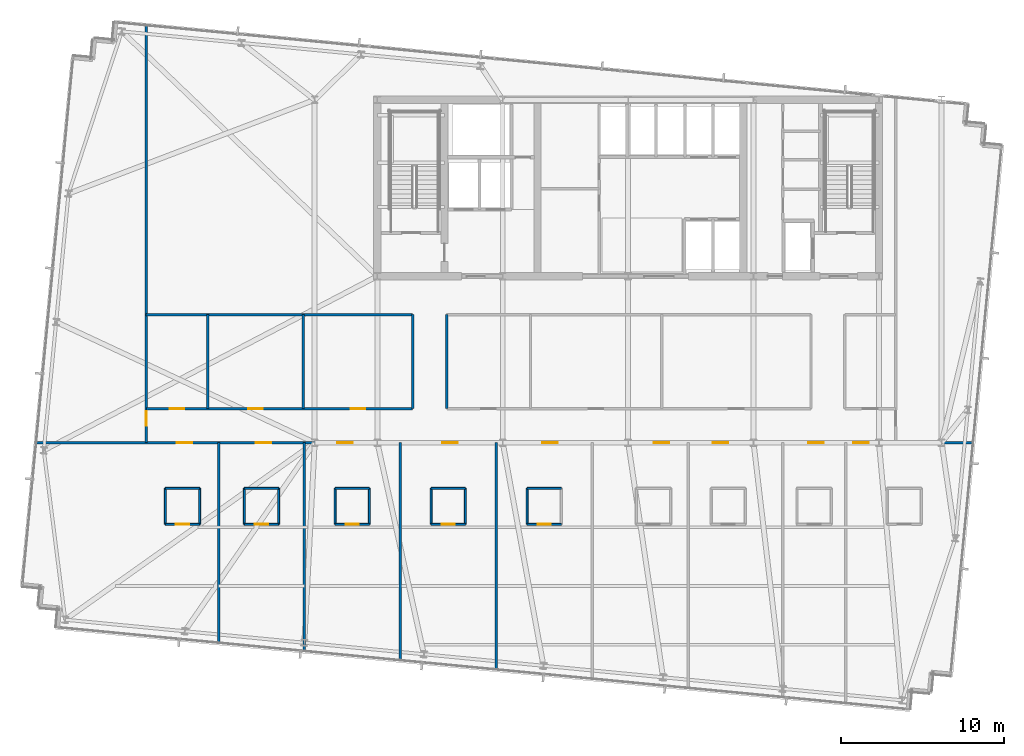
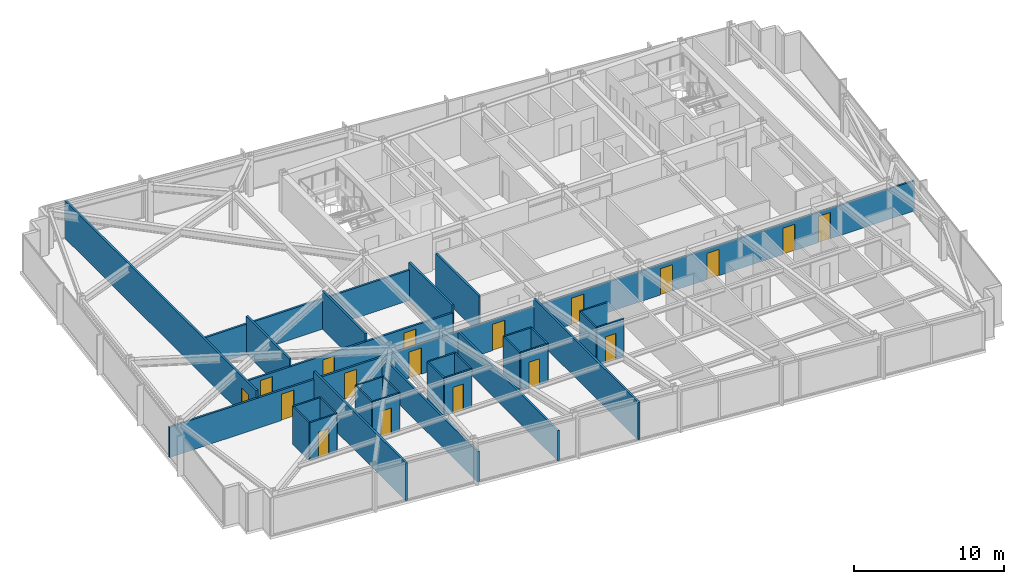
# One storey, part 29 of 38: 31 walls, 18 doors, 18 openings.
"""IFC4 building model written with IfcOpenShell, lengths in metres."""

from ifc_helpers import new_model, si_unit, direction, frame, frame_2d, origin, place, context, subcontext, project, spatial, rectangle, extrude, material, layer, layer_set, type_object, element, fill, save


model = new_model("IFC4")

# Units and contexts
model_context = context("Model", 3, precision=1e-05, world=origin(), true_north=direction((0.0, 1.0)))
body_context = subcontext(model_context, "Body", "Model", "MODEL_VIEW")
ifc_project = project(units=[si_unit("LENGTHUNIT", "METRE"), si_unit("AREAUNIT", "SQUARE_METRE"), si_unit("VOLUMEUNIT", "CUBIC_METRE"), si_unit("PLANEANGLEUNIT", "RADIAN"), si_unit("MASSUNIT", "GRAM", prefix="KILO")], contexts=[model_context])

# Site, building, storey
site_placement = place(None, origin())
site = spatial("IfcSite", under=ifc_project, at=site_placement, CompositionType="ELEMENT")
building_placement = place(site_placement, origin())
building = spatial("IfcBuilding", under=site, at=building_placement, Name="Yelkora Congress Tower", CompositionType="ELEMENT")
storey_placement = place(building_placement, frame((0.0, 0.0, 155.60009765625)))
storey = spatial("IfcBuildingStorey", under=building, at=storey_placement, Name="L42", CompositionType="ELEMENT", Elevation=155.60009765625)

# Walls
ifc_material_1 = material(Name="Moisture-resistant gypsum partition", Category="gypsum")
ifc_layer_1 = layer(ifc_material_1, 0.1201171875)
ifc_layer_set_1 = layer_set([ifc_layer_1], Name="Moisture-resistant gypsum partition")
wall_type_1 = type_object("IfcWallType", Name="WALL-INT-120-NR", PredefinedType="PARTITIONING", material=ifc_layer_set_1)
wall_1_placement = place(storey_placement, frame((10.052001953125, 22.39990234375, 0.0), z_axis=(0.0, 0.0, 1.0), x_axis=(1.0, 0.0, 0.0)))
element("IfcWall", 1, at=wall_1_placement, inside=storey, type_object=wall_type_1, Name="L42 Partition Wall 28", PredefinedType="PARTITIONING", context=body_context, shape_type="SweptSolid", body=[
    extrude(rectangle(XDim=2.10009765625, YDim=0.1201171875, at=frame_2d((1.050048828125, 0.0))), origin(), (0.0, 0.0, 1.0), 3.079833984375),
])
for number, where, z_axis, x_axis, name in (
    (2, (10.052001953125, 20.199951171875, 0.0), (0.0, 0.0, 1.0), (0.0, 1.0, 0.0), "L42 Partition Wall 29"),
    (3, (12.152099609375, 20.199951171875, 0.0), (0.0, 0.0, 1.0), (0.0, 1.0, 0.0), "L42 Partition Wall 30"),
):
    element("IfcWall", number, at=place(storey_placement, frame(where, z_axis=z_axis, x_axis=x_axis)), inside=storey, type_object=wall_type_1, Name=name, PredefinedType="PARTITIONING", context=body_context, shape_type="SweptSolid", body=[
        extrude(rectangle(XDim=2.199951171875, YDim=0.1201171875, at=frame_2d((1.10009765625, 0.0))), origin(), (0.0, 0.0, 1.0), 3.079833984375),
    ])

# Wall, opening, door
wall_2_placement = place(storey_placement, frame((10.052001953125, 20.199951171875, 0.0), z_axis=(0.0, 0.0, 1.0), x_axis=(1.0, 0.0, 0.0)))
wall_2 = element("IfcWall", 4, at=wall_2_placement, inside=storey, type_object=wall_type_1, Name="L42 Partition Wall 31", PredefinedType="PARTITIONING", context=body_context, shape_type="SweptSolid", body=[
    extrude(rectangle(XDim=2.10009765625, YDim=0.1201171875, at=frame_2d((1.050048828125, 0.0))), origin(), (0.0, 0.0, 1.0), 3.079833984375),
])
opening_1_placement = place(wall_2_placement, frame((0.64990234375, 0.0, 0.0)))
opening_1 = element("IfcOpeningElement", 5, at=opening_1_placement, cuts=wall_2, Name="Opening DR-080B", PredefinedType="OPENING", context=body_context, shape_type="SweptSolid", body=[
    extrude(rectangle(XDim=0.800048828125, YDim=2.10009765625, at=frame_2d((0.39990234375, 1.050048828125))), frame((0.0, 0.070068359375, 0.0), z_axis=(0.0, -1.0, 0.0), x_axis=(1.0, 0.0, 0.0)), (0.0, 0.0, 1.0), 0.14013671875),
])
ifc_material_2 = material(Name="Moisture-sealed en-suite timber door", Category="wood")
door_type_1 = type_object("IfcDoorType", Name="DOOR-BATH-800", OperationType="NOTDEFINED", PredefinedType="DOOR", material=ifc_material_2)
door_1_placement = place(opening_1_placement, origin())
door_1 = element("IfcDoor", 6, at=door_1_placement, inside=storey, type_object=door_type_1, Name="L42 En-suite Door 1", OperationType="SINGLE_SWING_RIGHT", OverallHeight=2.10009765625, OverallWidth=0.800048828125, PredefinedType="DOOR", context=body_context, shape_type="SweptSolid", body=[
    extrude(rectangle(XDim=0.800048828125, YDim=2.10009765625, at=frame_2d((0.39990234375, 1.050048828125))), frame((0.0, 0.02490234375, 0.0), z_axis=(0.0, -1.0, 0.0), x_axis=(1.0, 0.0, 0.0)), (0.0, 0.0, 1.0), 0.050048828125),
])
fill(opening_1, door_1)

# Walls
wall_3_placement = place(storey_placement, frame((14.89404296875, 22.39990234375, 0.0), z_axis=(0.0, 0.0, 1.0), x_axis=(1.0, 0.0, 0.0)))
element("IfcWall", 7, at=wall_3_placement, inside=storey, type_object=wall_type_1, Name="L42 Partition Wall 32", PredefinedType="PARTITIONING", context=body_context, shape_type="SweptSolid", body=[
    extrude(rectangle(XDim=2.099853515625, YDim=0.1201171875, at=frame_2d((1.0498046875, 0.0))), origin(), (0.0, 0.0, 1.0), 3.079833984375),
])
for number, where, z_axis, x_axis, name in (
    (8, (14.89404296875, 20.199951171875, 0.0), (0.0, 0.0, 1.0), (0.0, 1.0, 0.0), "L42 Partition Wall 33"),
    (9, (16.993896484375, 20.199951171875, 0.0), (0.0, 0.0, 1.0), (0.0, 1.0, 0.0), "L42 Partition Wall 34"),
):
    element("IfcWall", number, at=place(storey_placement, frame(where, z_axis=z_axis, x_axis=x_axis)), inside=storey, type_object=wall_type_1, Name=name, PredefinedType="PARTITIONING", context=body_context, shape_type="SweptSolid", body=[
        extrude(rectangle(XDim=2.199951171875, YDim=0.1201171875, at=frame_2d((1.10009765625, 0.0))), origin(), (0.0, 0.0, 1.0), 3.079833984375),
    ])

# Wall, opening, door
wall_4_placement = place(storey_placement, frame((14.89404296875, 20.199951171875, 0.0), z_axis=(0.0, 0.0, 1.0), x_axis=(1.0, 0.0, 0.0)))
wall_4 = element("IfcWall", 10, at=wall_4_placement, inside=storey, type_object=wall_type_1, Name="L42 Partition Wall 35", PredefinedType="PARTITIONING", context=body_context, shape_type="SweptSolid", body=[
    extrude(rectangle(XDim=2.099853515625, YDim=0.1201171875, at=frame_2d((1.0498046875, 0.0))), origin(), (0.0, 0.0, 1.0), 3.079833984375),
])
opening_2_placement = place(wall_4_placement, frame((0.64990234375, 0.0, 0.0)))
opening_2 = element("IfcOpeningElement", 11, at=opening_2_placement, cuts=wall_4, Name="Opening DR-080B", PredefinedType="OPENING", context=body_context, shape_type="SweptSolid", body=[
    extrude(rectangle(XDim=0.800048828125, YDim=2.10009765625, at=frame_2d((0.39990234375, 1.050048828125))), frame((0.0, 0.070068359375, 0.0), z_axis=(0.0, -1.0, 0.0), x_axis=(1.0, 0.0, 0.0)), (0.0, 0.0, 1.0), 0.14013671875),
])
door_2_placement = place(opening_2_placement, origin())
door_2 = element("IfcDoor", 12, at=door_2_placement, inside=storey, type_object=door_type_1, Name="L42 En-suite Door 2", OperationType="SINGLE_SWING_LEFT", OverallHeight=2.10009765625, OverallWidth=0.800048828125, PredefinedType="DOOR", context=body_context, shape_type="SweptSolid", body=[
    extrude(rectangle(XDim=0.800048828125, YDim=2.10009765625, at=frame_2d((0.39990234375, 1.050048828125))), frame((0.0, 0.02490234375, 0.0), z_axis=(0.0, -1.0, 0.0), x_axis=(1.0, 0.0, 0.0)), (0.0, 0.0, 1.0), 0.050048828125),
])
fill(opening_2, door_2)

# Walls
wall_5_placement = place(storey_placement, frame((20.451904296875, 22.39990234375, 0.0), z_axis=(0.0, 0.0, 1.0), x_axis=(1.0, 0.0, 0.0)))
element("IfcWall", 13, at=wall_5_placement, inside=storey, type_object=wall_type_1, Name="L42 Partition Wall 37", PredefinedType="PARTITIONING", context=body_context, shape_type="SweptSolid", body=[
    extrude(rectangle(XDim=2.10009765625, YDim=0.1201171875, at=frame_2d((1.050048828125, 0.0))), origin(), (0.0, 0.0, 1.0), 3.079833984375),
])
for number, where, z_axis, x_axis, name in (
    (14, (20.451904296875, 20.199951171875, 0.0), (0.0, 0.0, 1.0), (0.0, 1.0, 0.0), "L42 Partition Wall 38"),
    (15, (22.552001953125, 20.199951171875, 0.0), (0.0, 0.0, 1.0), (0.0, 1.0, 0.0), "L42 Partition Wall 39"),
):
    element("IfcWall", number, at=place(storey_placement, frame(where, z_axis=z_axis, x_axis=x_axis)), inside=storey, type_object=wall_type_1, Name=name, PredefinedType="PARTITIONING", context=body_context, shape_type="SweptSolid", body=[
        extrude(rectangle(XDim=2.199951171875, YDim=0.1201171875, at=frame_2d((1.10009765625, 0.0))), origin(), (0.0, 0.0, 1.0), 3.079833984375),
    ])

# Wall, opening, door
wall_6_placement = place(storey_placement, frame((20.451904296875, 20.199951171875, 0.0), z_axis=(0.0, 0.0, 1.0), x_axis=(1.0, 0.0, 0.0)))
wall_6 = element("IfcWall", 16, at=wall_6_placement, inside=storey, type_object=wall_type_1, Name="L42 Partition Wall 40", PredefinedType="PARTITIONING", context=body_context, shape_type="SweptSolid", body=[
    extrude(rectangle(XDim=2.10009765625, YDim=0.1201171875, at=frame_2d((1.050048828125, 0.0))), origin(), (0.0, 0.0, 1.0), 3.079833984375),
])
opening_3_placement = place(wall_6_placement, frame((0.64990234375, 0.0, 0.0)))
opening_3 = element("IfcOpeningElement", 17, at=opening_3_placement, cuts=wall_6, Name="Opening DR-080B", PredefinedType="OPENING", context=body_context, shape_type="SweptSolid", body=[
    extrude(rectangle(XDim=0.800048828125, YDim=2.10009765625, at=frame_2d((0.39990234375, 1.050048828125))), frame((0.0, 0.070068359375, 0.0), z_axis=(0.0, -1.0, 0.0), x_axis=(1.0, 0.0, 0.0)), (0.0, 0.0, 1.0), 0.14013671875),
])
door_3_placement = place(opening_3_placement, origin())
door_3 = element("IfcDoor", 18, at=door_3_placement, inside=storey, type_object=door_type_1, Name="L42 En-suite Door 3", OperationType="SINGLE_SWING_RIGHT", OverallHeight=2.10009765625, OverallWidth=0.800048828125, PredefinedType="DOOR", context=body_context, shape_type="SweptSolid", body=[
    extrude(rectangle(XDim=0.800048828125, YDim=2.10009765625, at=frame_2d((0.39990234375, 1.050048828125))), frame((0.0, 0.02490234375, 0.0), z_axis=(0.0, -1.0, 0.0), x_axis=(1.0, 0.0, 0.0)), (0.0, 0.0, 1.0), 0.050048828125),
])
fill(opening_3, door_3)

# Walls
wall_7_placement = place(storey_placement, frame((26.326904296875, 22.39990234375, 0.0), z_axis=(0.0, 0.0, 1.0), x_axis=(1.0, 0.0, 0.0)))
element("IfcWall", 19, at=wall_7_placement, inside=storey, type_object=wall_type_1, Name="L42 Partition Wall 42", PredefinedType="PARTITIONING", context=body_context, shape_type="SweptSolid", body=[
    extrude(rectangle(XDim=2.10009765625, YDim=0.1201171875, at=frame_2d((1.050048828125, 0.0))), origin(), (0.0, 0.0, 1.0), 3.079833984375),
])
for number, where, z_axis, x_axis, name in (
    (20, (26.326904296875, 20.199951171875, 0.0), (0.0, 0.0, 1.0), (0.0, 1.0, 0.0), "L42 Partition Wall 43"),
    (21, (28.427001953125, 20.199951171875, 0.0), (0.0, 0.0, 1.0), (0.0, 1.0, 0.0), "L42 Partition Wall 44"),
):
    element("IfcWall", number, at=place(storey_placement, frame(where, z_axis=z_axis, x_axis=x_axis)), inside=storey, type_object=wall_type_1, Name=name, PredefinedType="PARTITIONING", context=body_context, shape_type="SweptSolid", body=[
        extrude(rectangle(XDim=2.199951171875, YDim=0.1201171875, at=frame_2d((1.10009765625, 0.0))), origin(), (0.0, 0.0, 1.0), 3.079833984375),
    ])

# Wall, opening, door
wall_8_placement = place(storey_placement, frame((26.326904296875, 20.199951171875, 0.0), z_axis=(0.0, 0.0, 1.0), x_axis=(1.0, 0.0, 0.0)))
wall_8 = element("IfcWall", 22, at=wall_8_placement, inside=storey, type_object=wall_type_1, Name="L42 Partition Wall 45", PredefinedType="PARTITIONING", context=body_context, shape_type="SweptSolid", body=[
    extrude(rectangle(XDim=2.10009765625, YDim=0.1201171875, at=frame_2d((1.050048828125, 0.0))), origin(), (0.0, 0.0, 1.0), 3.079833984375),
])
opening_4_placement = place(wall_8_placement, frame((0.64990234375, 0.0, 0.0)))
opening_4 = element("IfcOpeningElement", 23, at=opening_4_placement, cuts=wall_8, Name="Opening DR-080B", PredefinedType="OPENING", context=body_context, shape_type="SweptSolid", body=[
    extrude(rectangle(XDim=0.800048828125, YDim=2.10009765625, at=frame_2d((0.39990234375, 1.050048828125))), frame((0.0, 0.070068359375, 0.0), z_axis=(0.0, -1.0, 0.0), x_axis=(1.0, 0.0, 0.0)), (0.0, 0.0, 1.0), 0.14013671875),
])
door_4_placement = place(opening_4_placement, origin())
door_4 = element("IfcDoor", 24, at=door_4_placement, inside=storey, type_object=door_type_1, Name="L42 En-suite Door 4", OperationType="SINGLE_SWING_LEFT", OverallHeight=2.10009765625, OverallWidth=0.800048828125, PredefinedType="DOOR", context=body_context, shape_type="SweptSolid", body=[
    extrude(rectangle(XDim=0.800048828125, YDim=2.10009765625, at=frame_2d((0.39990234375, 1.050048828125))), frame((0.0, 0.02490234375, 0.0), z_axis=(0.0, -1.0, 0.0), x_axis=(1.0, 0.0, 0.0)), (0.0, 0.0, 1.0), 0.050048828125),
])
fill(opening_4, door_4)

# Walls
wall_9_placement = place(storey_placement, frame((32.2080078125, 22.39990234375, 0.0), z_axis=(0.0, 0.0, 1.0), x_axis=(1.0, 0.0, 0.0)))
element("IfcWall", 25, at=wall_9_placement, inside=storey, type_object=wall_type_1, Name="L42 Partition Wall 47", PredefinedType="PARTITIONING", context=body_context, shape_type="SweptSolid", body=[
    extrude(rectangle(XDim=2.10009765625, YDim=0.1201171875, at=frame_2d((1.050048828125, 0.0))), origin(), (0.0, 0.0, 1.0), 3.079833984375),
])
wall_10_placement = place(storey_placement, frame((32.2080078125, 20.199951171875, 0.0), z_axis=(0.0, 0.0, 1.0), x_axis=(0.0, 1.0, 0.0)))
element("IfcWall", 26, at=wall_10_placement, inside=storey, type_object=wall_type_1, Name="L42 Partition Wall 48", PredefinedType="PARTITIONING", context=body_context, shape_type="SweptSolid", body=[
    extrude(rectangle(XDim=2.199951171875, YDim=0.1201171875, at=frame_2d((1.10009765625, 0.0))), origin(), (0.0, 0.0, 1.0), 3.079833984375),
])

# Wall, opening, door
wall_11_placement = place(storey_placement, frame((32.2080078125, 20.199951171875, 0.0), z_axis=(0.0, 0.0, 1.0), x_axis=(1.0, 0.0, 0.0)))
wall_11 = element("IfcWall", 27, at=wall_11_placement, inside=storey, type_object=wall_type_1, Name="L42 Partition Wall 50", PredefinedType="PARTITIONING", context=body_context, shape_type="SweptSolid", body=[
    extrude(rectangle(XDim=2.10009765625, YDim=0.1201171875, at=frame_2d((1.050048828125, 0.0))), origin(), (0.0, 0.0, 1.0), 3.079833984375),
])
opening_5_placement = place(wall_11_placement, frame((0.64990234375, 0.0, 0.0)))
opening_5 = element("IfcOpeningElement", 28, at=opening_5_placement, cuts=wall_11, Name="Opening DR-080B", PredefinedType="OPENING", context=body_context, shape_type="SweptSolid", body=[
    extrude(rectangle(XDim=0.800048828125, YDim=2.10009765625, at=frame_2d((0.39990234375, 1.050048828125))), frame((0.0, 0.070068359375, 0.0), z_axis=(0.0, -1.0, 0.0), x_axis=(1.0, 0.0, 0.0)), (0.0, 0.0, 1.0), 0.14013671875),
])
door_5_placement = place(opening_5_placement, origin())
door_5 = element("IfcDoor", 29, at=door_5_placement, inside=storey, type_object=door_type_1, Name="L42 En-suite Door 5", OperationType="SINGLE_SWING_RIGHT", OverallHeight=2.10009765625, OverallWidth=0.800048828125, PredefinedType="DOOR", context=body_context, shape_type="SweptSolid", body=[
    extrude(rectangle(XDim=0.800048828125, YDim=2.10009765625, at=frame_2d((0.39990234375, 1.050048828125))), frame((0.0, 0.02490234375, 0.0), z_axis=(0.0, -1.0, 0.0), x_axis=(1.0, 0.0, 0.0)), (0.0, 0.0, 1.0), 0.050048828125),
])
fill(opening_5, door_5)

ifc_material_3 = material(Name="Acoustic metal-stud gypsum partition", Category="gypsum")
ifc_layer_2 = layer(ifc_material_3, 0.14990234375)
ifc_layer_set_2 = layer_set([ifc_layer_2], Name="Acoustic metal-stud gypsum partition")
wall_type_2 = type_object("IfcWallType", Name="WALL-INT-150-NR", PredefinedType="PARTITIONING", material=ifc_layer_set_2)
wall_12_placement = place(storey_placement, frame((8.8798828125, 25.199951171875, 0.0), z_axis=(0.0, 0.0, 1.0), x_axis=(0.0, 1.0, 0.0)))
wall_12 = element("IfcWall", 30, at=wall_12_placement, inside=storey, type_object=wall_type_2, Name="L42 Partition Wall 73", PredefinedType="PARTITIONING", context=body_context, shape_type="SweptSolid", body=[
    extrude(rectangle(XDim=25.61962890625, YDim=0.14990234375, at=frame_2d((12.809814453125, 0.0))), origin(), (0.0, 0.0, 1.0), 3.079833984375),
])
opening_6_placement = place(wall_12_placement, frame((1.030029296875, 0.0, 0.0)))
opening_6 = element("IfcOpeningElement", 31, at=opening_6_placement, cuts=wall_12, Name="Opening DR-090N", PredefinedType="OPENING", context=body_context, shape_type="SweptSolid", body=[
    extrude(rectangle(XDim=0.89990234375, YDim=2.14990234375, at=frame_2d((0.449951171875, 1.074951171875))), frame((0.0, 0.0849609375, 0.0), z_axis=(0.0, -1.0, 0.0), x_axis=(1.0, 0.0, 0.0)), (0.0, 0.0, 1.0), 0.169921875),
])
ifc_material_4 = material(Name="Moisture-resistant laminate door leaf", Category="wood")
door_type_2 = type_object("IfcDoorType", Name="DOOR-INT-900", OperationType="NOTDEFINED", PredefinedType="DOOR", material=ifc_material_4)
door_6_placement = place(opening_6_placement, origin())
door_6 = element("IfcDoor", 32, at=door_6_placement, inside=storey, type_object=door_type_2, Name="L42 W Wing Door", OperationType="SINGLE_SWING_RIGHT", OverallHeight=2.14990234375, OverallWidth=0.89990234375, PredefinedType="DOOR", context=body_context, shape_type="SweptSolid", body=[
    extrude(rectangle(XDim=0.89990234375, YDim=2.14990234375, at=frame_2d((0.449951171875, 1.074951171875))), frame((0.0, 0.02490234375, 0.0), z_axis=(0.0, -1.0, 0.0), x_axis=(1.0, 0.0, 0.0)), (0.0, 0.0, 1.0), 0.050048828125),
])
fill(opening_6, door_6)

# Walls
for number, where, z_axis, x_axis, name in (
    (33, (25.199951171875, 27.280029296875, 0.0), (0.0, 0.0, 1.0), (0.0, 1.0, 0.0), "L42 Partition Wall 75"),
    (34, (27.280029296875, 27.280029296875, 0.0), (0.0, 0.0, 1.0), (0.0, 1.0, 0.0), "L42 Partition Wall 76"),
):
    element("IfcWall", number, at=place(storey_placement, frame(where, z_axis=z_axis, x_axis=x_axis)), inside=storey, type_object=wall_type_2, Name=name, PredefinedType="PARTITIONING", context=body_context, shape_type="SweptSolid", body=[
        extrude(rectangle(XDim=5.77001953125, YDim=0.14990234375, at=frame_2d((2.885009765625, 0.0))), origin(), (0.0, 0.0, 1.0), 3.079833984375),
    ])
wall_13_placement = place(storey_placement, frame((8.8798828125, 33.050048828125, 0.0), z_axis=(0.0, 0.0, 1.0), x_axis=(1.0, 0.0, 0.0)))
element("IfcWall", 35, at=wall_13_placement, inside=storey, type_object=wall_type_2, Name="L42 Partition Wall 79", PredefinedType="PARTITIONING", context=body_context, shape_type="SweptSolid", body=[
    extrude(rectangle(XDim=16.320068359375, YDim=0.14990234375, at=frame_2d((8.16015625, 0.0))), origin(), (0.0, 0.0, 1.0), 2.474853515625),
])
for number, where, z_axis, x_axis, name in (
    (36, (12.64697265625, 27.280029296875, 0.0), (0.0, 0.0, 1.0), (0.0, 1.0, 0.0), "L42 Partition Wall 82"),
    (37, (18.510986328125, 27.280029296875, 0.0), (0.0, 0.0, 1.0), (0.0, 1.0, 0.0), "L42 Partition Wall 83"),
):
    element("IfcWall", number, at=place(storey_placement, frame(where, z_axis=z_axis, x_axis=x_axis)), inside=storey, type_object=wall_type_2, Name=name, PredefinedType="PARTITIONING", context=body_context, shape_type="SweptSolid", body=[
        extrude(rectangle(XDim=5.77001953125, YDim=0.14990234375, at=frame_2d((2.885009765625, 0.0))), origin(), (0.0, 0.0, 1.0), 3.079833984375),
    ])

# Wall, openings, doors
wall_14_placement = place(storey_placement, frame((8.89990234375, 27.280029296875, 0.0), z_axis=(0.0, 0.0, 1.0), x_axis=(1.0, 0.0, 0.0)))
wall_14 = element("IfcWall", 38, at=wall_14_placement, inside=storey, type_object=wall_type_2, Name="L42 Partition Wall 84", PredefinedType="PARTITIONING", context=body_context, shape_type="SweptSolid", body=[
    extrude(rectangle(XDim=16.2900390625, YDim=0.14990234375, at=frame_2d((8.14501953125, 0.0))), origin(), (0.0, 0.0, 1.0), 2.474853515625),
])
opening_7_placement = place(wall_14_placement, frame((1.423583984375, 0.0, 0.0)))
opening_7 = element("IfcOpeningElement", 39, at=opening_7_placement, cuts=wall_14, Name="Opening DR-090N", PredefinedType="OPENING", context=body_context, shape_type="SweptSolid", body=[
    extrude(rectangle(XDim=0.89990234375, YDim=2.14990234375, at=frame_2d((0.449951171875, 1.074951171875))), frame((0.0, 0.0849609375, 0.0), z_axis=(0.0, -1.0, 0.0), x_axis=(1.0, 0.0, 0.0)), (0.0, 0.0, 1.0), 0.169921875),
])
opening_8_placement = place(wall_14_placement, frame((6.22900390625, 0.0, 0.0)))
opening_8 = element("IfcOpeningElement", 40, at=opening_8_placement, cuts=wall_14, Name="Opening DR-090N", PredefinedType="OPENING", context=body_context, shape_type="SweptSolid", body=[
    extrude(rectangle(XDim=0.89990234375, YDim=2.14990234375, at=frame_2d((0.449951171875, 1.074951171875))), frame((0.0, 0.0849609375, 0.0), z_axis=(0.0, -1.0, 0.0), x_axis=(1.0, 0.0, 0.0)), (0.0, 0.0, 1.0), 0.169921875),
])
opening_9_placement = place(wall_14_placement, frame((12.50048828125, 0.0, 0.0)))
opening_9 = element("IfcOpeningElement", 41, at=opening_9_placement, cuts=wall_14, Name="Opening DR-090N", PredefinedType="OPENING", context=body_context, shape_type="SweptSolid", body=[
    extrude(rectangle(XDim=0.89990234375, YDim=2.14990234375, at=frame_2d((0.449951171875, 1.074951171875))), frame((0.0, 0.0849609375, 0.0), z_axis=(0.0, -1.0, 0.0), x_axis=(1.0, 0.0, 0.0)), (0.0, 0.0, 1.0), 0.169921875),
])
door_7_placement = place(opening_7_placement, origin())
door_7 = element("IfcDoor", 42, at=door_7_placement, inside=storey, type_object=door_type_2, Name="L42 Housekeeping & Linen Room Door", OperationType="SINGLE_SWING_RIGHT", OverallHeight=2.14990234375, OverallWidth=0.89990234375, PredefinedType="DOOR", context=body_context, shape_type="SweptSolid", body=[
    extrude(rectangle(XDim=0.89990234375, YDim=2.14990234375, at=frame_2d((0.449951171875, 1.074951171875))), frame((0.0, 0.02490234375, 0.0), z_axis=(0.0, -1.0, 0.0), x_axis=(1.0, 0.0, 0.0)), (0.0, 0.0, 1.0), 0.050048828125),
])
fill(opening_7, door_7)
door_8_placement = place(opening_8_placement, origin())
door_8 = element("IfcDoor", 43, at=door_8_placement, inside=storey, type_object=door_type_2, Name="L42 Huddle Seminar Room Door", OperationType="SINGLE_SWING_LEFT", OverallHeight=2.14990234375, OverallWidth=0.89990234375, PredefinedType="DOOR", context=body_context, shape_type="SweptSolid", body=[
    extrude(rectangle(XDim=0.89990234375, YDim=2.14990234375, at=frame_2d((0.449951171875, 1.074951171875))), frame((0.0, 0.02490234375, 0.0), z_axis=(0.0, -1.0, 0.0), x_axis=(1.0, 0.0, 0.0)), (0.0, 0.0, 1.0), 0.050048828125),
])
fill(opening_8, door_8)
door_9_placement = place(opening_9_placement, origin())
door_9 = element("IfcDoor", 44, at=door_9_placement, inside=storey, type_object=door_type_2, Name="L42 Breakout Training Room Door", OperationType="SINGLE_SWING_RIGHT", OverallHeight=2.14990234375, OverallWidth=0.89990234375, PredefinedType="DOOR", context=body_context, shape_type="SweptSolid", body=[
    extrude(rectangle(XDim=0.89990234375, YDim=2.14990234375, at=frame_2d((0.449951171875, 1.074951171875))), frame((0.0, 0.02490234375, 0.0), z_axis=(0.0, -1.0, 0.0), x_axis=(1.0, 0.0, 0.0)), (0.0, 0.0, 1.0), 0.050048828125),
])
fill(opening_9, door_9)

# Walls
ifc_material_5 = material(Name="Twin-stud fire-rated gypsum partition", Category="gypsum")
ifc_layer_3 = layer(ifc_material_5, 0.14990234375)
ifc_layer_set_3 = layer_set([ifc_layer_3], Name="Twin-stud fire-rated gypsum partition")
wall_type_3 = type_object("IfcWallType", Name="WALL-INT-150-R60", PredefinedType="PARTITIONING", material=ifc_layer_set_3)
wall_15_placement = place(storey_placement, frame((13.322998046875, 12.879150390625, 0.0), z_axis=(0.0, 0.0, 1.0), x_axis=(0.0, 1.0, 0.0)))
element("IfcWall", 45, at=wall_15_placement, inside=storey, type_object=wall_type_3, Name="L42 Partition Wall 36", PredefinedType="PARTITIONING", context=body_context, shape_type="SweptSolid", body=[
    extrude(rectangle(XDim=12.3408203125, YDim=0.14990234375, at=frame_2d((6.17041015625, 0.0))), origin(), (0.0, 0.0, 1.0), 3.079833984375),
])
wall_16_placement = place(storey_placement, frame((18.56591796875, 12.374267578125, 0.0), z_axis=(0.0, 0.0, 1.0), x_axis=(0.0, 1.0, 0.0)))
element("IfcWall", 46, at=wall_16_placement, inside=storey, type_object=wall_type_3, Name="L42 Partition Wall 41", PredefinedType="PARTITIONING", context=body_context, shape_type="SweptSolid", body=[
    extrude(rectangle(XDim=12.845703125, YDim=0.14990234375, at=frame_2d((6.4228515625, 0.0))), origin(), (0.0, 0.0, 1.0), 2.474853515625),
])
wall_17_placement = place(storey_placement, frame((24.43701171875, 11.80908203125, 0.0), z_axis=(0.0, 0.0, 1.0), x_axis=(0.0, 1.0, 0.0)))
element("IfcWall", 47, at=wall_17_placement, inside=storey, type_object=wall_type_3, Name="L42 Partition Wall 46", PredefinedType="PARTITIONING", context=body_context, shape_type="SweptSolid", body=[
    extrude(rectangle(XDim=13.410888671875, YDim=0.14990234375, at=frame_2d((6.70556640625, 0.0))), origin(), (0.0, 0.0, 1.0), 2.474853515625),
])
wall_18_placement = place(storey_placement, frame((30.31689453125, 11.242919921875, 0.0), z_axis=(0.0, 0.0, 1.0), x_axis=(0.0, 1.0, 0.0)))
element("IfcWall", 48, at=wall_18_placement, inside=storey, type_object=wall_type_3, Name="L42 Partition Wall 51", PredefinedType="PARTITIONING", context=body_context, shape_type="SweptSolid", body=[
    extrude(rectangle(XDim=13.97705078125, YDim=0.14990234375, at=frame_2d((6.988525390625, 0.0))), origin(), (0.0, 0.0, 1.0), 3.079833984375),
])

# Wall, openings, doors
wall_19_placement = place(storey_placement, frame((2.080078125, 25.199951171875, 0.0), z_axis=(0.0, 0.0, 1.0), x_axis=(1.0, 0.0, 0.0)))
wall_19 = element("IfcWall", 49, at=wall_19_placement, inside=storey, type_object=wall_type_3, Name="L42 South Spine Wall", PredefinedType="PARTITIONING", context=body_context, shape_type="SweptSolid", body=[
    extrude(rectangle(XDim=57.504638671875, YDim=0.14990234375, at=frame_2d((28.75244140625, 0.0))), origin(), (0.0, 0.0, 1.0), 2.474853515625),
])
opening_10_placement = place(wall_19_placement, frame((8.66162109375, 0.0, 0.0)))
opening_10 = element("IfcOpeningElement", 50, at=opening_10_placement, cuts=wall_19, Name="Opening DR-095F6", PredefinedType="OPENING", context=body_context, shape_type="SweptSolid", body=[
    extrude(rectangle(XDim=0.949951171875, YDim=2.14990234375, at=frame_2d((0.47509765625, 1.074951171875))), frame((0.0, 0.0849609375, 0.0), z_axis=(0.0, -1.0, 0.0), x_axis=(1.0, 0.0, 0.0)), (0.0, 0.0, 1.0), 0.169921875),
])
opening_11_placement = place(wall_19_placement, frame((13.50439453125, 0.0, 0.0)))
opening_11 = element("IfcOpeningElement", 51, at=opening_11_placement, cuts=wall_19, Name="Opening DR-095F6", PredefinedType="OPENING", context=body_context, shape_type="SweptSolid", body=[
    extrude(rectangle(XDim=0.949951171875, YDim=2.14990234375, at=frame_2d((0.47509765625, 1.074951171875))), frame((0.0, 0.0849609375, 0.0), z_axis=(0.0, -1.0, 0.0), x_axis=(1.0, 0.0, 0.0)), (0.0, 0.0, 1.0), 0.169921875),
])
opening_12_placement = place(wall_19_placement, frame((18.51171875, 0.0, 0.0)))
opening_12 = element("IfcOpeningElement", 52, at=opening_12_placement, cuts=wall_19, Name="Opening DR-095F6", PredefinedType="OPENING", context=body_context, shape_type="SweptSolid", body=[
    extrude(rectangle(XDim=0.949951171875, YDim=2.14990234375, at=frame_2d((0.47509765625, 1.074951171875))), frame((0.0, 0.0849609375, 0.0), z_axis=(0.0, -1.0, 0.0), x_axis=(1.0, 0.0, 0.0)), (0.0, 0.0, 1.0), 0.169921875),
])
opening_13_placement = place(wall_19_placement, frame((24.93701171875, 0.0, 0.0)))
opening_13 = element("IfcOpeningElement", 53, at=opening_13_placement, cuts=wall_19, Name="Opening DR-095F6", PredefinedType="OPENING", context=body_context, shape_type="SweptSolid", body=[
    extrude(rectangle(XDim=0.949951171875, YDim=2.14990234375, at=frame_2d((0.47509765625, 1.074951171875))), frame((0.0, 0.0849609375, 0.0), z_axis=(0.0, -1.0, 0.0), x_axis=(1.0, 0.0, 0.0)), (0.0, 0.0, 1.0), 0.169921875),
])
opening_14_placement = place(wall_19_placement, frame((31.0439453125, 0.0, 0.0)))
opening_14 = element("IfcOpeningElement", 54, at=opening_14_placement, cuts=wall_19, Name="Opening DR-095F6", PredefinedType="OPENING", context=body_context, shape_type="SweptSolid", body=[
    extrude(rectangle(XDim=0.949951171875, YDim=2.14990234375, at=frame_2d((0.47509765625, 1.074951171875))), frame((0.0, 0.0849609375, 0.0), z_axis=(0.0, -1.0, 0.0), x_axis=(1.0, 0.0, 0.0)), (0.0, 0.0, 1.0), 0.169921875),
])
opening_15_placement = place(wall_19_placement, frame((37.89697265625, 0.0, 0.0)))
opening_15 = element("IfcOpeningElement", 55, at=opening_15_placement, cuts=wall_19, Name="Opening DR-095F6", PredefinedType="OPENING", context=body_context, shape_type="SweptSolid", body=[
    extrude(rectangle(XDim=0.949951171875, YDim=2.14990234375, at=frame_2d((0.47509765625, 1.074951171875))), frame((0.0, 0.0849609375, 0.0), z_axis=(0.0, -1.0, 0.0), x_axis=(1.0, 0.0, 0.0)), (0.0, 0.0, 1.0), 0.169921875),
])
opening_16_placement = place(wall_19_placement, frame((41.489013671875, 0.0, 0.0)))
opening_16 = element("IfcOpeningElement", 56, at=opening_16_placement, cuts=wall_19, Name="Opening DR-095F6", PredefinedType="OPENING", context=body_context, shape_type="SweptSolid", body=[
    extrude(rectangle(XDim=0.949951171875, YDim=2.14990234375, at=frame_2d((0.47509765625, 1.074951171875))), frame((0.0, 0.0849609375, 0.0), z_axis=(0.0, -1.0, 0.0), x_axis=(1.0, 0.0, 0.0)), (0.0, 0.0, 1.0), 0.169921875),
])
opening_17_placement = place(wall_19_placement, frame((47.3505859375, 0.0, 0.0)))
opening_17 = element("IfcOpeningElement", 57, at=opening_17_placement, cuts=wall_19, Name="Opening DR-095F6", PredefinedType="OPENING", context=body_context, shape_type="SweptSolid", body=[
    extrude(rectangle(XDim=0.949951171875, YDim=2.14990234375, at=frame_2d((0.47509765625, 1.074951171875))), frame((0.0, 0.0849609375, 0.0), z_axis=(0.0, -1.0, 0.0), x_axis=(1.0, 0.0, 0.0)), (0.0, 0.0, 1.0), 0.169921875),
])
opening_18_placement = place(wall_19_placement, frame((50.092041015625, 0.0, 0.0)))
opening_18 = element("IfcOpeningElement", 58, at=opening_18_placement, cuts=wall_19, Name="Opening DR-095F6", PredefinedType="OPENING", context=body_context, shape_type="SweptSolid", body=[
    extrude(rectangle(XDim=0.949951171875, YDim=2.14990234375, at=frame_2d((0.47509765625, 1.074951171875))), frame((0.0, 0.0849609375, 0.0), z_axis=(0.0, -1.0, 0.0), x_axis=(1.0, 0.0, 0.0)), (0.0, 0.0, 1.0), 0.169921875),
])
ifc_material_6 = material(Name="Acoustic oak-veneer fire door leaf", Category="wood")
door_type_3 = type_object("IfcDoorType", Name="DOOR-FD60-950", OperationType="NOTDEFINED", PredefinedType="DOOR", material=ifc_material_6)
door_10_placement = place(opening_10_placement, origin())
door_10 = element("IfcDoor", 59, at=door_10_placement, inside=storey, type_object=door_type_3, Name="L42 Diplomatic Suite 01 Entry Door", OperationType="SINGLE_SWING_LEFT", OverallHeight=2.14990234375, OverallWidth=0.949951171875, PredefinedType="DOOR", context=body_context, shape_type="SweptSolid", body=[
    extrude(rectangle(XDim=0.949951171875, YDim=2.14990234375, at=frame_2d((0.47509765625, 1.074951171875))), frame((0.0, 0.02490234375, 0.0), z_axis=(0.0, -1.0, 0.0), x_axis=(1.0, 0.0, 0.0)), (0.0, 0.0, 1.0), 0.050048828125),
])
fill(opening_10, door_10)
door_11_placement = place(opening_11_placement, origin())
door_11 = element("IfcDoor", 60, at=door_11_placement, inside=storey, type_object=door_type_3, Name="L42 Diplomatic Suite 02 Entry Door", OperationType="SINGLE_SWING_RIGHT", OverallHeight=2.14990234375, OverallWidth=0.949951171875, PredefinedType="DOOR", context=body_context, shape_type="SweptSolid", body=[
    extrude(rectangle(XDim=0.949951171875, YDim=2.14990234375, at=frame_2d((0.47509765625, 1.074951171875))), frame((0.0, 0.02490234375, 0.0), z_axis=(0.0, -1.0, 0.0), x_axis=(1.0, 0.0, 0.0)), (0.0, 0.0, 1.0), 0.050048828125),
])
fill(opening_11, door_11)
door_12_placement = place(opening_12_placement, origin())
door_12 = element("IfcDoor", 61, at=door_12_placement, inside=storey, type_object=door_type_3, Name="L42 Diplomatic Suite 03 Entry Door", OperationType="SINGLE_SWING_LEFT", OverallHeight=2.14990234375, OverallWidth=0.949951171875, PredefinedType="DOOR", context=body_context, shape_type="SweptSolid", body=[
    extrude(rectangle(XDim=0.949951171875, YDim=2.14990234375, at=frame_2d((0.47509765625, 1.074951171875))), frame((0.0, 0.02490234375, 0.0), z_axis=(0.0, -1.0, 0.0), x_axis=(1.0, 0.0, 0.0)), (0.0, 0.0, 1.0), 0.050048828125),
])
fill(opening_12, door_12)
door_13_placement = place(opening_13_placement, origin())
door_13 = element("IfcDoor", 62, at=door_13_placement, inside=storey, type_object=door_type_3, Name="L42 Diplomatic Suite 04 Entry Door", OperationType="SINGLE_SWING_RIGHT", OverallHeight=2.14990234375, OverallWidth=0.949951171875, PredefinedType="DOOR", context=body_context, shape_type="SweptSolid", body=[
    extrude(rectangle(XDim=0.949951171875, YDim=2.14990234375, at=frame_2d((0.47509765625, 1.074951171875))), frame((0.0, 0.02490234375, 0.0), z_axis=(0.0, -1.0, 0.0), x_axis=(1.0, 0.0, 0.0)), (0.0, 0.0, 1.0), 0.050048828125),
])
fill(opening_13, door_13)
door_14_placement = place(opening_14_placement, origin())
door_14 = element("IfcDoor", 63, at=door_14_placement, inside=storey, type_object=door_type_3, Name="L42 Diplomatic Suite 05 Entry Door", OperationType="SINGLE_SWING_LEFT", OverallHeight=2.14990234375, OverallWidth=0.949951171875, PredefinedType="DOOR", context=body_context, shape_type="SweptSolid", body=[
    extrude(rectangle(XDim=0.949951171875, YDim=2.14990234375, at=frame_2d((0.47509765625, 1.074951171875))), frame((0.0, 0.02490234375, 0.0), z_axis=(0.0, -1.0, 0.0), x_axis=(1.0, 0.0, 0.0)), (0.0, 0.0, 1.0), 0.050048828125),
])
fill(opening_14, door_14)
door_15_placement = place(opening_15_placement, origin())
door_15 = element("IfcDoor", 64, at=door_15_placement, inside=storey, type_object=door_type_3, Name="L42 Diplomatic Suite 06 Entry Door", OperationType="SINGLE_SWING_RIGHT", OverallHeight=2.14990234375, OverallWidth=0.949951171875, PredefinedType="DOOR", context=body_context, shape_type="SweptSolid", body=[
    extrude(rectangle(XDim=0.949951171875, YDim=2.14990234375, at=frame_2d((0.47509765625, 1.074951171875))), frame((0.0, 0.02490234375, 0.0), z_axis=(0.0, -1.0, 0.0), x_axis=(1.0, 0.0, 0.0)), (0.0, 0.0, 1.0), 0.050048828125),
])
fill(opening_15, door_15)
door_16_placement = place(opening_16_placement, origin())
door_16 = element("IfcDoor", 65, at=door_16_placement, inside=storey, type_object=door_type_3, Name="L42 Diplomatic Suite 07 Entry Door", OperationType="SINGLE_SWING_LEFT", OverallHeight=2.14990234375, OverallWidth=0.949951171875, PredefinedType="DOOR", context=body_context, shape_type="SweptSolid", body=[
    extrude(rectangle(XDim=0.949951171875, YDim=2.14990234375, at=frame_2d((0.47509765625, 1.074951171875))), frame((0.0, 0.02490234375, 0.0), z_axis=(0.0, -1.0, 0.0), x_axis=(1.0, 0.0, 0.0)), (0.0, 0.0, 1.0), 0.050048828125),
])
fill(opening_16, door_16)
door_17_placement = place(opening_17_placement, origin())
door_17 = element("IfcDoor", 66, at=door_17_placement, inside=storey, type_object=door_type_3, Name="L42 Hotel Guest Room 08 Entry Door", OperationType="SINGLE_SWING_RIGHT", OverallHeight=2.14990234375, OverallWidth=0.949951171875, PredefinedType="DOOR", context=body_context, shape_type="SweptSolid", body=[
    extrude(rectangle(XDim=0.949951171875, YDim=2.14990234375, at=frame_2d((0.47509765625, 1.074951171875))), frame((0.0, 0.02490234375, 0.0), z_axis=(0.0, -1.0, 0.0), x_axis=(1.0, 0.0, 0.0)), (0.0, 0.0, 1.0), 0.050048828125),
])
fill(opening_17, door_17)
door_18_placement = place(opening_18_placement, origin())
door_18 = element("IfcDoor", 67, at=door_18_placement, inside=storey, type_object=door_type_3, Name="L42 Diplomatic Suite 09 Entry Door", OperationType="SINGLE_SWING_LEFT", OverallHeight=2.14990234375, OverallWidth=0.949951171875, PredefinedType="DOOR", context=body_context, shape_type="SweptSolid", body=[
    extrude(rectangle(XDim=0.949951171875, YDim=2.14990234375, at=frame_2d((0.47509765625, 1.074951171875))), frame((0.0, 0.02490234375, 0.0), z_axis=(0.0, -1.0, 0.0), x_axis=(1.0, 0.0, 0.0)), (0.0, 0.0, 1.0), 0.050048828125),
])
fill(opening_18, door_18)

save(model, "model.ifc")
